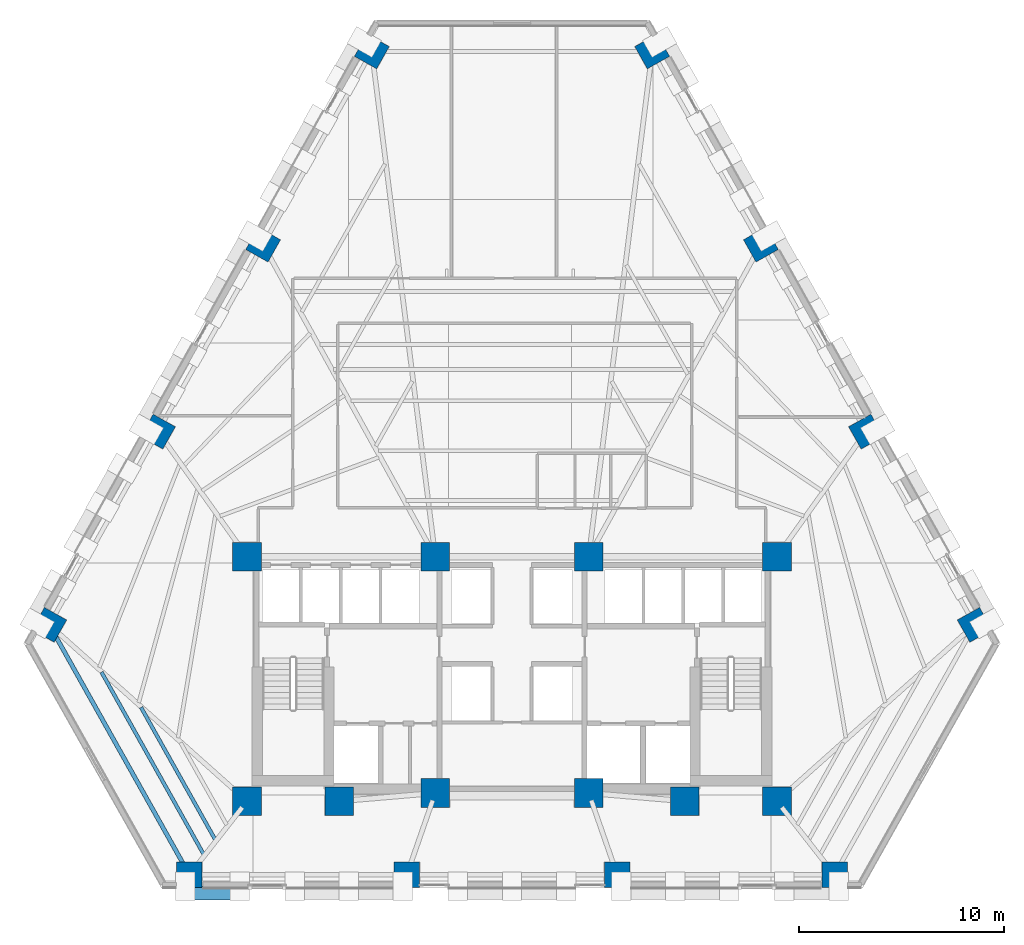
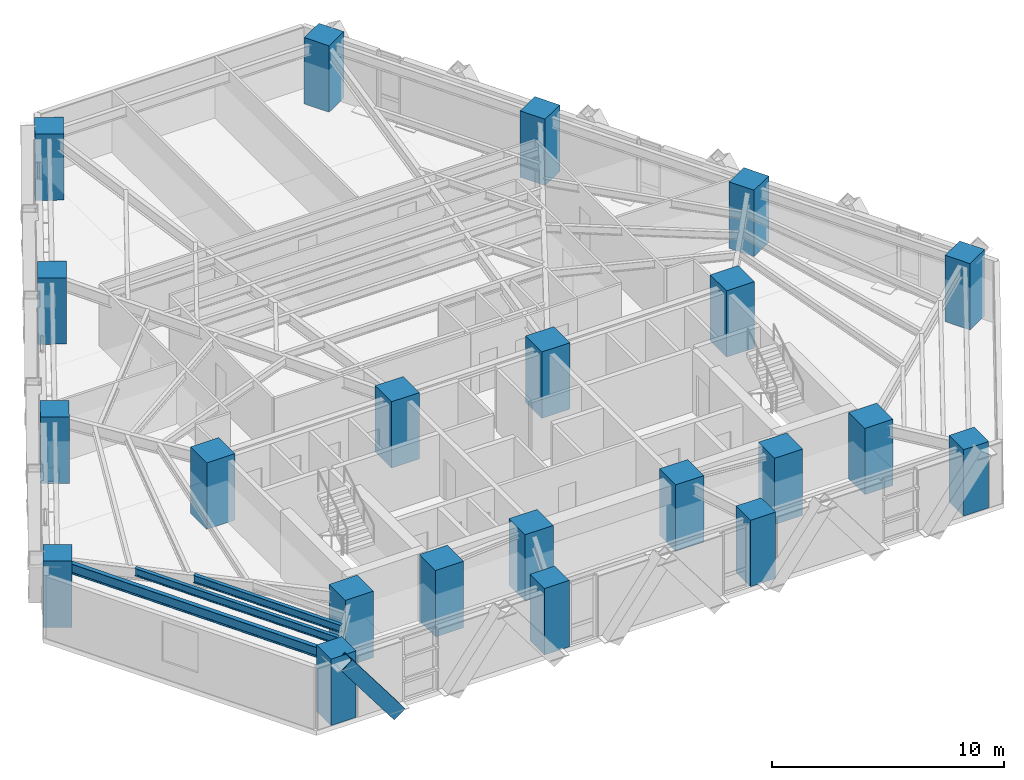
# One storey, part 1 of 13: 22 columns, 3 beams, 1 member.
"""IFC4 building model written with IfcOpenShell, lengths in metres."""

from ifc_helpers import new_model, si_unit, direction, frame, origin, origin_2d, place, context, subcontext, project, spatial, rectangle, hollow_rectangle, i_section, extrude, material, material_profile, profile_set, type_object, element, save


model = new_model("IFC4")

# Units and contexts
model_context = context("Model", 3, precision=1e-05, world=origin(), true_north=direction((0.0, 1.0)))
body_context = subcontext(model_context, "Body", "Model", "MODEL_VIEW")
ifc_project = project(units=[si_unit("LENGTHUNIT", "METRE"), si_unit("AREAUNIT", "SQUARE_METRE"), si_unit("VOLUMEUNIT", "CUBIC_METRE"), si_unit("PLANEANGLEUNIT", "RADIAN"), si_unit("MASSUNIT", "GRAM", prefix="KILO")], contexts=[model_context])

# Site, building, storey
site_placement = place(None, origin())
site = spatial("IfcSite", under=ifc_project, at=site_placement, CompositionType="ELEMENT")
building_placement = place(site_placement, origin())
building = spatial("IfcBuilding", under=site, at=building_placement, Name="Quenlor Broadcast Tower", CompositionType="ELEMENT")
storey_placement = place(building_placement, frame((0.0, 0.0, 55.60009765625)))
storey = spatial("IfcBuildingStorey", under=building, at=storey_placement, Name="L14", CompositionType="ELEMENT", Elevation=55.60009765625)

# Columns
ifc_material_1 = material(Name="Concrete C65/80", Category="concrete")
ifc_material_profile_1 = material_profile(ifc_material_1, rectangle(XDim=1.39990234375, YDim=1.39990234375, at=origin_2d()))
ifc_profile_set_1 = profile_set([ifc_material_profile_1], Name="Concrete C65/80 RC1400x1400")
column_type_1 = type_object("IfcColumnType", Name="Core Corner Column Lower Concrete C65/80 1400", PredefinedType="COLUMN", material=ifc_profile_set_1)
for number, where, z_axis, x_axis, name in (
    (1, (-12.949951171875, -16.75, 0.0), (0.0, 0.0, 1.0), (1.0, 0.0, 0.0), "L14 Core Column CC1"),
    (2, (-8.449951171875, -16.75, 0.0), (0.0, 0.0, 1.0), (1.0, 0.0, 0.0), "L14 Core Column CC2"),
    (3, (-3.75, -16.35009765625, 0.0), (0.0, 0.0, 1.0), (1.0, 0.0, 0.0), "L14 Core Column CC3"),
    (4, (3.75, -16.35009765625, 0.0), (0.0, 0.0, 1.0), (1.0, 0.0, 0.0), "L14 Core Column CC4"),
    (5, (8.449951171875, -16.75, 0.0), (0.0, 0.0, 1.0), (1.0, 0.0, 0.0), "L14 Core Column CC5"),
    (6, (12.949951171875, -16.75, 0.0), (0.0, 0.0, 1.0), (1.0, 0.0, 0.0), "L14 Core Column CC6"),
    (7, (-12.949951171875, -4.800048828125, 0.0), (0.0, 0.0, 1.0), (1.0, 0.0, 0.0), "L14 Core Column CC7"),
    (8, (-3.75, -4.800048828125, 0.0), (0.0, 0.0, 1.0), (1.0, 0.0, 0.0), "L14 Core Column CC8"),
    (9, (3.75, -4.800048828125, 0.0), (0.0, 0.0, 1.0), (1.0, 0.0, 0.0), "L14 Core Column CC9"),
    (10, (12.949951171875, -4.800048828125, 0.0), (0.0, 0.0, 1.0), (1.0, 0.0, 0.0), "L14 Core Column CC10"),
):
    element("IfcColumn", number, at=place(storey_placement, frame(where, z_axis=z_axis, x_axis=x_axis)), inside=storey, type_object=column_type_1, Name=name, PredefinedType="COLUMN", context=body_context, shape_type="SweptSolid", body=[
        extrude(rectangle(XDim=1.39990234375, YDim=1.39990234375, at=origin_2d()), origin(), (0.0, 0.0, 1.0), 3.5),
    ])
ifc_material_2 = material(Name="Concrete C65/80", Category="concrete")
ifc_material_profile_2 = material_profile(ifc_material_2, rectangle(XDim=1.25, YDim=1.25, at=origin_2d()))
ifc_profile_set_2 = profile_set([ifc_material_profile_2], Name="Concrete C65/80 RC1250x1250")
column_type_2 = type_object("IfcColumnType", Name="Tower Perimeter Column Z1 Concrete C65/80 1250", PredefinedType="COLUMN", material=ifc_profile_set_2)
for number, where, z_axis, x_axis, name in (
    (11, (-15.76513671875, -20.35009765625, 0.0), (0.0, 0.0, 1.0), (0.0, 1.0, 0.0), "L14 Perimeter Column S1"),
    (12, (-5.140869140625, -20.35009765625, 0.0), (0.0, 0.0, 1.0), (0.0, 1.0, 0.0), "L14 Perimeter Column S2"),
    (13, (5.140869140625, -20.35009765625, 0.0), (0.0, 0.0, 1.0), (0.0, 1.0, 0.0), "L14 Perimeter Column S3"),
    (14, (15.76513671875, -20.35009765625, 0.0), (0.0, 0.0, 1.0), (0.0, 1.0, 0.0), "L14 Perimeter Column S4"),
    (15, (22.6162109375, -8.132080078125, 0.0), (0.0, 0.0, 1.0), (0.871575139605, 0.490261946333, 0.0), "L14 Perimeter Column NE1"),
    (16, (17.303955078125, 1.311767578125, 0.0), (0.0, 0.0, 1.0), (0.871575139605, 0.490261946333, 0.0), "L14 Perimeter Column NE2"),
    (17, (12.1630859375, 10.450927734375, 0.0), (0.0, 0.0, 1.0), (0.871575139605, 0.490261946333, 0.0), "L14 Perimeter Column NE3"),
    (18, (6.850830078125, 19.894775390625, 0.0), (0.0, 0.0, 1.0), (0.871575139605, 0.490261946333, 0.0), "L14 Perimeter Column NE4"),
    (19, (-6.850830078125, 19.894775390625, 0.0), (0.0, 0.0, 1.0), (-0.871575139605, 0.490261946333, 0.0), "L14 Perimeter Column NW1"),
    (20, (-12.1630859375, 10.450927734375, 0.0), (0.0, 0.0, 1.0), (-0.871575139605, 0.490261946333, 0.0), "L14 Perimeter Column NW2"),
    (21, (-17.303955078125, 1.311767578125, 0.0), (0.0, 0.0, 1.0), (-0.871575139605, 0.490261946333, 0.0), "L14 Perimeter Column NW3"),
    (22, (-22.6162109375, -8.132080078125, 0.0), (0.0, 0.0, 1.0), (-0.871575139605, 0.490261946333, 0.0), "L14 Perimeter Column NW4"),
):
    element("IfcColumn", number, at=place(storey_placement, frame(where, z_axis=z_axis, x_axis=x_axis)), inside=storey, type_object=column_type_2, Name=name, PredefinedType="COLUMN", context=body_context, shape_type="SweptSolid", body=[
        extrude(rectangle(XDim=1.25, YDim=1.25, at=origin_2d()), origin(), (0.0, 0.0, 1.0), 3.5),
    ])

# Member
ifc_material_3 = material(Name="Steel S355", Category="steel")
ifc_material_profile_3 = material_profile(ifc_material_3, hollow_rectangle(XDim=0.679931640625, YDim=0.679931640625, WallThickness=0.034912109375, at=origin_2d()))
ifc_profile_set_3 = profile_set([ifc_material_profile_3], Name="Steel S355 RHS680x680x35")
member_type = type_object("IfcMemberType", Name="Perimeter Diagonal Lattice Brace Z1 Steel S355 RHS680x35", PredefinedType="BRACE", material=ifc_profile_set_3)
member_placement = place(storey_placement, frame((-13.31689453125, -21.235107421875, -0.1201171875), z_axis=(-0.600463982679, 0.0, 0.799651802665), x_axis=(0.0, -1.0, 0.0)))
element("IfcMember", 23, at=member_placement, inside=storey, type_object=member_type, Name="L14 Perimeter Diamond Lattice S-C4S", PredefinedType="BRACE", context=body_context, shape_type="SweptSolid", body=[
    extrude(hollow_rectangle(XDim=0.679931640625, YDim=0.679931640625, WallThickness=0.034912109375, at=origin_2d()), origin(), (0.0, 0.0, 1.0), 4.376953125),
])

# Beams
ifc_material_4 = material(Name="Steel S355", Category="steel")
ifc_material_profile_4 = material_profile(ifc_material_4, i_section(OverallWidth=0.208984375, OverallDepth=0.532958984375, WebThickness=0.01025390625, FlangeThickness=0.015625, FilletRadius=0.013916015625, at=origin_2d()))
ifc_profile_set_4 = profile_set([ifc_material_profile_4], Name="Steel S355 530UB92.4")
beam_type_1 = type_object("IfcBeamType", Name="Perimeter Spandrel Beam Z1 Steel S355 530UB92.4", PredefinedType="SPANDREL", material=ifc_profile_set_4)
beam_1_placement = place(storey_placement, frame((-22.41552734375, -8.48974609375, 2.9833984375), z_axis=(0.489090917871, -0.87223280955, 0.0), x_axis=(0.87223280955, 0.489090917871, 0.0)))
element("IfcBeam", 24, at=beam_1_placement, inside=storey, type_object=beam_type_1, Name="L14 Spandrel Beam NW4-S1", PredefinedType="SPANDREL", context=body_context, shape_type="SweptSolid", body=[
    extrude(i_section(OverallWidth=0.208984375, OverallDepth=0.532958984375, WebThickness=0.01025390625, FlangeThickness=0.015625, FilletRadius=0.013916015625, at=origin_2d()), origin(), (0.0, 0.0, 1.0), 13.187744140625),
])
ifc_material_5 = material(Name="Steel S355", Category="steel")
ifc_material_profile_5 = material_profile(ifc_material_5, i_section(OverallWidth=0.177978515625, OverallDepth=0.406494140625, WebThickness=0.0078125, FlangeThickness=0.0126953125, FilletRadius=0.011474609375, at=origin_2d()))
ifc_profile_set_5 = profile_set([ifc_material_profile_5], Name="Steel S355 410UB59.7")
beam_type_2 = type_object("IfcBeamType", Name="Tower Composite Joist Z1 Steel S355 410UB59.7", PredefinedType="JOIST", material=ifc_profile_set_5)
beam_2_placement = place(storey_placement, frame((-14.50927734375, -18.624267578125, 3.046630859375), z_axis=(-0.489088249322, 0.872234305892, 0.0), x_axis=(-0.872234305892, -0.489088249322, 0.0)))
element("IfcBeam", 25, at=beam_2_placement, inside=storey, type_object=beam_type_2, Name="L14 Secondary Composite Joist 20", PredefinedType="JOIST", context=body_context, shape_type="SweptSolid", body=[
    extrude(i_section(OverallWidth=0.177978515625, OverallDepth=0.406494140625, WebThickness=0.0078125, FlangeThickness=0.0126953125, FilletRadius=0.011474609375, at=origin_2d()), origin(), (0.0, 0.0, 1.0), 7.404296875),
])
beam_3_placement = place(storey_placement, frame((-15.072265625, -19.34423828125, 3.046630859375), z_axis=(-0.489081877778, 0.872237878579, 0.0), x_axis=(-0.872237878579, -0.489081877778, 0.0)))
element("IfcBeam", 26, at=beam_3_placement, inside=storey, type_object=beam_type_2, Name="L14 Secondary Composite Joist 21", PredefinedType="JOIST", context=body_context, shape_type="SweptSolid", body=[
    extrude(i_section(OverallWidth=0.177978515625, OverallDepth=0.406494140625, WebThickness=0.0078125, FlangeThickness=0.0126953125, FilletRadius=0.011474609375, at=origin_2d()), origin(), (0.0, 0.0, 1.0), 10.205810546875),
])

save(model, "model.ifc")
